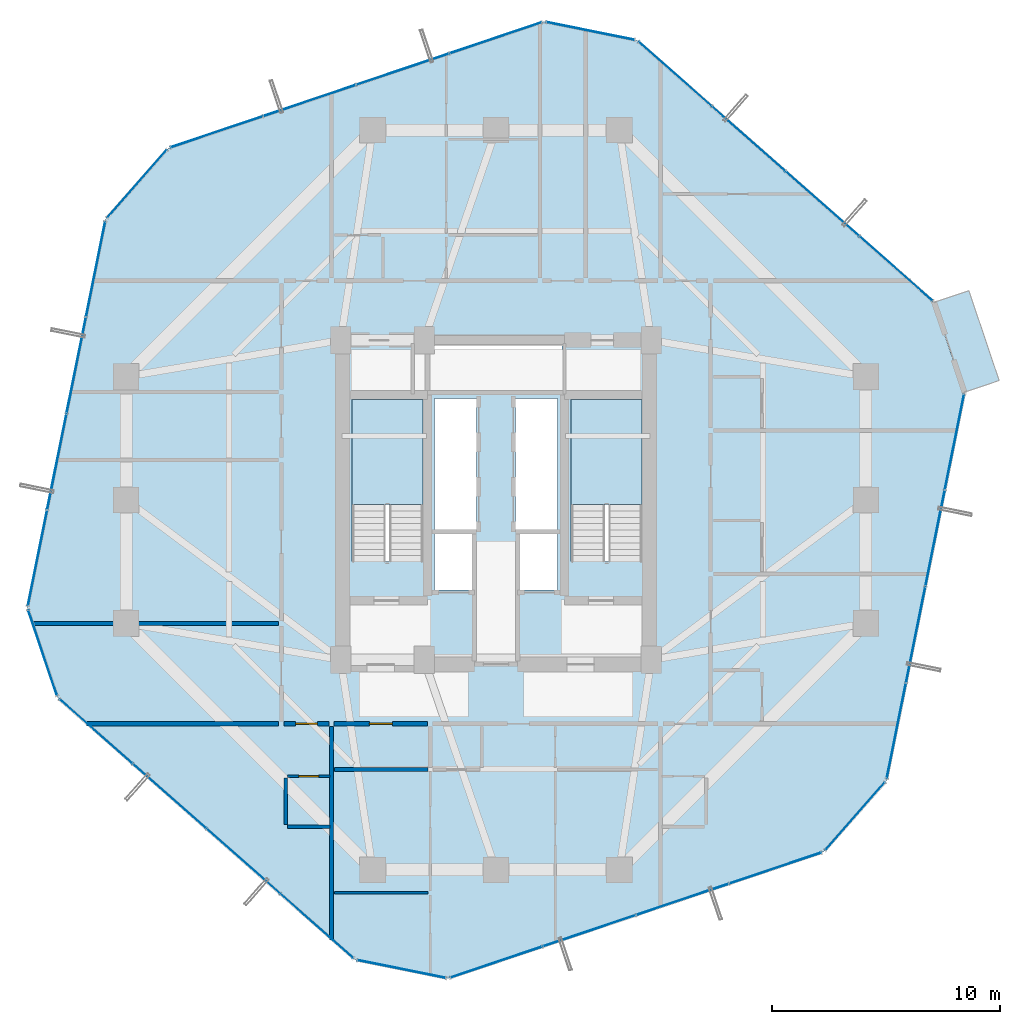
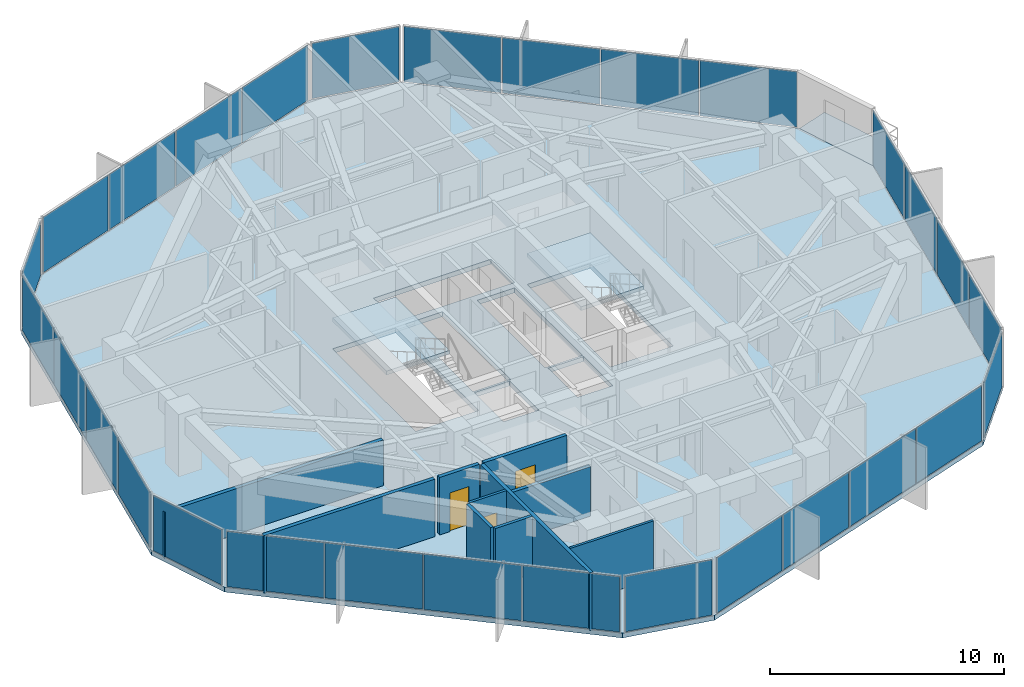
# One storey, part 27 of 32: 29 plates, 10 walls, 4 slabs, 3 doors, 3 openings, 13 elements without a shape of their own.
"""IFC4 building model written with IfcOpenShell, lengths in metres."""

import ifcopenshell
import ifcopenshell.guid

model = None  # the IFC model being written
_history = None  # IfcOwnerHistory: only IFC2X3 demands one
_inside = {}  # id of a spatial element -> (the spatial element, [elements in it])
_under = {}  # id of a project, library or spatial element -> (it, [spatial elements below it])
_declared = {}  # id of a project -> (the project, [libraries it declares])
_typed = {}  # id of a type object -> (the type object, [elements of that type])
_made_of = {}  # id of a material, layer set ... -> (it, [elements and type objects made of it])


def new_model(schema):
    """Start an empty IFC model of exactly this schema.

    Asked for "IFC4X3", IfcOpenShell would pick the latest addendum, in which some entities
    have other attributes; the version numbers below select the first issue.
    IFC2X3 requires an IfcOwnerHistory on every rooted entity: one is made here for all.
    """
    global model, _history
    if schema == "IFC4X3":
        model = ifcopenshell.file(schema_version=(4, 3, 0, 0))
    else:
        model = ifcopenshell.file(schema=schema)
    _inside.clear()
    _under.clear()
    _declared.clear()
    _typed.clear()
    _made_of.clear()
    _history = None
    if model.schema == "IFC2X3":
        org = make("IfcOrganization", Name="unknown")
        user = make(
            "IfcPersonAndOrganization",
            ThePerson=make("IfcPerson", FamilyName="unknown"),
            TheOrganization=org,
        )
        app = make(
            "IfcApplication",
            ApplicationDeveloper=org,
            Version="unknown",
            ApplicationFullName="unknown",
            ApplicationIdentifier="unknown",
        )
        _history = make(
            "IfcOwnerHistory",
            OwningUser=user,
            OwningApplication=app,
            ChangeAction="ADDED",
            CreationDate=0,
        )
    return model


def make(cls, **values):
    """One entity of the class cls with the attributes given. An attribute that is None is left unset."""
    return model.create_entity(
        cls, **{name: value for name, value in values.items() if value is not None}
    )


def rooted(cls, **values):
    """An entity with a GlobalId (a new one), such as an element, a storey or a relation."""
    return make(cls, GlobalId=ifcopenshell.guid.new(), OwnerHistory=_history, **values)


def si_unit(unit_type, name, prefix=None):
    """IfcSIUnit, for example si_unit("LENGTHUNIT", "METRE", prefix="MILLI")."""
    return make("IfcSIUnit", UnitType=unit_type, Prefix=prefix, Name=name)


def assignment(units):
    """IfcUnitAssignment: the units of a project."""
    return None if units is None else make("IfcUnitAssignment", Units=units)


def point(xyz):
    """IfcCartesianPoint."""
    return None if xyz is None else make("IfcCartesianPoint", Coordinates=xyz)


def direction(xyz):
    """IfcDirection."""
    return None if xyz is None else make("IfcDirection", DirectionRatios=xyz)


def frame(location, z_axis=None, x_axis=None):
    """IfcAxis2Placement3D, a coordinate frame: its origin and axes. An axis left out is left unset."""
    return make(
        "IfcAxis2Placement3D",
        Location=point(location),
        Axis=direction(z_axis),
        RefDirection=direction(x_axis),
    )


def frame_2d(location, x_axis=None):
    """IfcAxis2Placement2D, a coordinate frame in the plane: its origin and x axis."""
    return make(
        "IfcAxis2Placement2D", Location=point(location), RefDirection=direction(x_axis)
    )


def origin():
    """The frame at (0, 0, 0) with its axes left unset."""
    return frame((0.0, 0.0, 0.0))


def origin_2d():
    """The frame at (0, 0) in the plane with its x axis left unset."""
    return frame_2d((0.0, 0.0))


def place(relative_to, where):
    """IfcLocalPlacement: puts the frame where relative to a parent placement (None: the world)."""
    return make(
        "IfcLocalPlacement", PlacementRelTo=relative_to, RelativePlacement=where
    )


def context(
    kind, dimensions, precision=None, world=None, true_north=None, identifier=None
):
    """IfcGeometricRepresentationContext, for example the 3D "Model" context."""
    return make(
        "IfcGeometricRepresentationContext",
        ContextIdentifier=identifier,
        ContextType=kind,
        CoordinateSpaceDimension=dimensions,
        Precision=precision,
        WorldCoordinateSystem=world,
        TrueNorth=true_north,
    )


def subcontext(parent, identifier, kind, view, scale=None):
    """IfcGeometricRepresentationSubContext, for example "Body" below "Model"."""
    return make(
        "IfcGeometricRepresentationSubContext",
        ContextIdentifier=identifier,
        ContextType=kind,
        ParentContext=parent,
        TargetScale=scale,
        TargetView=view,
    )


def project(units=None, contexts=None):
    """IfcProject with its units and contexts."""
    return rooted(
        "IfcProject",
        Name="project",
        RepresentationContexts=contexts,
        UnitsInContext=assignment(units),
    )


def spatial(cls, under=None, at=None, **own):
    """A site, building, storey or space (cls), placed at a placement, below another one or the project."""
    s = rooted(cls, ObjectPlacement=at, **own)
    if under is not None:
        _under.setdefault(under.id(), (under, []))[1].append(s)
    return s


def polyline(points):
    """IfcPolyline through the points."""
    return make("IfcPolyline", Points=[point(p) for p in points])


def profile(cls, at=None, kind="AREA", **sizes):
    """A parametric profile (cls). Its sizes go by their IFC names, for example OverallWidth=200.0."""
    return make(cls, ProfileType=kind, Position=at, **sizes)


def rectangle(**sizes):
    """IfcRectangleProfileDef."""
    return profile("IfcRectangleProfileDef", **sizes)


def outline(outer, holes=None, kind="AREA"):
    """IfcArbitraryClosedProfileDef: a profile drawn as a closed curve; with holes, ...WithVoids."""
    if holes is None:
        return make("IfcArbitraryClosedProfileDef", ProfileType=kind, OuterCurve=outer)
    return make(
        "IfcArbitraryProfileDefWithVoids",
        ProfileType=kind,
        OuterCurve=outer,
        InnerCurves=holes,
    )


def extrude(swept, where, along, depth):
    """IfcExtrudedAreaSolid: the profile swept, set in the frame where, extruded along a direction by depth."""
    return make(
        "IfcExtrudedAreaSolid",
        SweptArea=swept,
        Position=where,
        ExtrudedDirection=direction(along),
        Depth=depth,
    )


def shape(context_of_items, identifier, shape_type, items):
    """IfcShapeRepresentation: the items that make up one representation, for example the "Body"."""
    return make(
        "IfcShapeRepresentation",
        ContextOfItems=context_of_items,
        RepresentationIdentifier=identifier,
        RepresentationType=shape_type,
        Items=items,
    )


def source(mapping_origin, context_of_items, identifier, shape_type, items):
    """IfcRepresentationMap: a shape defined once, which mapped items show again and again."""
    return make(
        "IfcRepresentationMap",
        MappingOrigin=mapping_origin,
        MappedRepresentation=shape(context_of_items, identifier, shape_type, items),
    )


def transform(
    local_origin,
    x_axis=None,
    y_axis=None,
    z_axis=None,
    scale=None,
    scale2=None,
    scale3=None,
    uniform=True,
):
    """IfcCartesianTransformationOperator3D, or its non-uniform kind. x_axis, y_axis, z_axis: its Axis1, 2, 3."""
    if uniform:
        return make(
            "IfcCartesianTransformationOperator3D",
            Axis1=direction(x_axis),
            Axis2=direction(y_axis),
            LocalOrigin=point(local_origin),
            Scale=scale,
            Axis3=direction(z_axis),
        )
    return make(
        "IfcCartesianTransformationOperator3DnonUniform",
        Axis1=direction(x_axis),
        Axis2=direction(y_axis),
        LocalOrigin=point(local_origin),
        Scale=scale,
        Axis3=direction(z_axis),
        Scale2=scale2,
        Scale3=scale3,
    )


def mapped(mapping_source, mapping_target):
    """IfcMappedItem: shows the shape of a source again, moved by a transform."""
    return make(
        "IfcMappedItem", MappingSource=mapping_source, MappingTarget=mapping_target
    )


def material(Name=None, Category=None):
    """IfcMaterial."""
    return make("IfcMaterial", Name=Name, Category=Category)


def layer(
    of_material, thickness, ventilated=None, Name=None, Category=None, Priority=None
):
    """IfcMaterialLayer: one layer of a wall or slab, of a material (None: an air gap)."""
    return make(
        "IfcMaterialLayer",
        Material=of_material,
        LayerThickness=thickness,
        IsVentilated=ventilated,
        Name=Name,
        Category=Category,
        Priority=Priority,
    )


def layer_set(layers, Name=None):
    """IfcMaterialLayerSet."""
    return make("IfcMaterialLayerSet", MaterialLayers=layers, LayerSetName=Name)


def made_of(thing, what):
    """Note that an element or type object is made of a material, layer set ...; save() writes the relation."""
    if what is not None:
        _made_of.setdefault(what.id(), (what, []))[1].append(thing)
    return thing


def type_object(cls, material=None, **own):
    """A type object (cls), such as IfcWallType, which elements share."""
    return made_of(rooted(cls, **own), material)


def element(
    cls,
    number,
    at=None,
    inside=None,
    cuts=None,
    type_object=None,
    material=None,
    context=None,
    identifier="Body",
    shape_type=None,
    held_by="IfcProductDefinitionShape",
    body=None,
    shapes=None,
    **own,
):
    """One element of the class cls, such as IfcWall. Its Tag is "e" and its number.

    at: its placement. inside: the storey or other place that contains it. cuts: it is an
    opening in that element (IfcRelVoidsElement). A single representation is given by context,
    identifier, shape_type and body (its items); several are given by shapes. held_by: the class
    of the entity that holds the representations. save() writes the other relations.
    """
    e = rooted(cls, Tag="e%d" % number, ObjectPlacement=at, **own)
    if body is not None:
        shapes = [shape(context, identifier, shape_type, body)]
    if shapes is not None:
        e.Representation = make(held_by, Representations=shapes)
    if inside is not None:
        _inside.setdefault(inside.id(), (inside, []))[1].append(e)
    if cuts is not None:
        rooted(
            "IfcRelVoidsElement", RelatingBuildingElement=cuts, RelatedOpeningElement=e
        )
    if type_object is not None:
        _typed.setdefault(type_object.id(), (type_object, []))[1].append(e)
    return made_of(e, material)


def fill(opening, filler):
    """IfcRelFillsElement: the door or window that sits in an opening."""
    return rooted(
        "IfcRelFillsElement",
        RelatingOpeningElement=opening,
        RelatedBuildingElement=filler,
    )


def aggregate(whole, parts):
    """IfcRelAggregates: a whole, such as a stair, and the parts it consists of."""
    return rooted("IfcRelAggregates", RelatingObject=whole, RelatedObjects=parts)


def save(model, path):
    """Write the relations noted so far, then the file.

    IfcRelAggregates (storeys below a building ...), IfcRelContainedInSpatialStructure (elements
    in a storey), IfcRelDefinesByType, IfcRelAssociatesMaterial and IfcRelDeclares: one each for
    every whole, place, type object, material and project.
    """
    for whole, parts in _under.values():
        aggregate(whole, parts)
    for where, things in _inside.values():
        rooted(
            "IfcRelContainedInSpatialStructure",
            RelatedElements=things,
            RelatingStructure=where,
        )
    for kind, things in _typed.values():
        rooted("IfcRelDefinesByType", RelatedObjects=things, RelatingType=kind)
    for what, things in _made_of.values():
        rooted("IfcRelAssociatesMaterial", RelatedObjects=things, RelatingMaterial=what)
    for by, libraries in _declared.values():
        rooted("IfcRelDeclares", RelatingContext=by, RelatedDefinitions=libraries)
    model.write(path)


model = new_model("IFC4")

# Units and contexts
model_context = context("Model", 3, precision=1e-05, world=origin(), true_north=direction((0.0, 1.0)))
body_context = subcontext(model_context, "Body", "Model", "MODEL_VIEW")
ifc_project = project(units=[si_unit("LENGTHUNIT", "METRE"), si_unit("AREAUNIT", "SQUARE_METRE"), si_unit("VOLUMEUNIT", "CUBIC_METRE"), si_unit("PLANEANGLEUNIT", "RADIAN"), si_unit("MASSUNIT", "GRAM", prefix="KILO")], contexts=[model_context])

# Site, building, storey
site_placement = place(None, origin())
site = spatial("IfcSite", under=ifc_project, at=site_placement, CompositionType="ELEMENT")
building_placement = place(site_placement, origin())
building = spatial("IfcBuilding", under=site, at=building_placement, Name="Veraguas Prism Commons", CompositionType="ELEMENT")
storey_placement = place(building_placement, frame((0.0, 0.0, 89.449951171875)))
storey = spatial("IfcBuildingStorey", under=building, at=storey_placement, Name="L24", CompositionType="ELEMENT", Elevation=89.449951171875)

# Stair, slab
ifc_material_1 = material(Name="Precast concrete C45/55", Category="concrete")
stair_type = type_object("IfcStairType", Name="Dogleg Core Stair 1480W 20R 05", PredefinedType="HALF_TURN_STAIR", material=ifc_material_1)
stair_1_placement = place(storey_placement, origin())
stair_1 = element("IfcStair", 1, at=stair_1_placement, inside=storey, type_object=stair_type, Name="Protected Exit Stair ST-01 L24", PredefinedType="HALF_TURN_STAIR")
ifc_layer_1 = layer(ifc_material_1, 0.199951171875, Name="Precast Stair and Ramp Landing Slab 200", Category="concrete")
ifc_layer_set_1 = layer_set([ifc_layer_1], Name="Precast concrete C45/55")
slab_type_1 = type_object("IfcSlabType", Name="Precast Stair and Ramp Landing Slab 200", PredefinedType="LANDING", material=ifc_layer_set_1)
slab_1_placement = place(storey_placement, frame((0.0, 0.0, 1.425048828125)))
slab_1 = element("IfcSlab", 2, at=slab_1_placement, type_object=slab_type_1, Name="ST-05 Landing 1", PredefinedType="LANDING", context=body_context, shape_type="SweptSolid", body=[
    extrude(outline(polyline([(20.800048828125, 23.800048828125), (20.800048828125, 28.39990234375), (17.68994140625, 28.39990234375), (17.68994140625, 23.800048828125), (20.800048828125, 23.800048828125)])), origin(), (0.0, 0.0, 1.0), 0.199951171875),
])
aggregate(stair_1, [slab_1])

stair_2_placement = place(storey_placement, origin())
stair_2 = element("IfcStair", 3, at=stair_2_placement, inside=storey, type_object=stair_type, Name="Protected Exit Stair ST-02 L24", PredefinedType="HALF_TURN_STAIR")
slab_2_placement = place(storey_placement, frame((0.0, 0.0, 1.425048828125)))
slab_2 = element("IfcSlab", 4, at=slab_2_placement, type_object=slab_type_1, Name="ST-05 Landing 1", PredefinedType="LANDING", context=body_context, shape_type="SweptSolid", body=[
    extrude(outline(polyline([(30.39990234375, 23.800048828125), (30.39990234375, 28.39990234375), (27.2900390625, 28.39990234375), (27.2900390625, 23.800048828125), (30.39990234375, 23.800048828125)])), origin(), (0.0, 0.0, 1.0), 0.199951171875),
])
aggregate(stair_2, [slab_2])

# Slabs
ifc_material_2 = material(Name="Concrete C45/55", Category="concrete")
ifc_layer_2 = layer(ifc_material_2, 0.219970703125, Name="Recessed Loggia and Terrace Slab RC 220", Category="concrete")
ifc_layer_set_2 = layer_set([ifc_layer_2], Name="Concrete C45/55")
slab_type_2 = type_object("IfcSlabType", Name="Recessed Loggia and Terrace Slab RC 220", PredefinedType="FLOOR", material=ifc_layer_set_2)
slab_3_placement = place(storey_placement, frame((0.0, 0.0, -0.219970703125)))
element("IfcSlab", 5, at=slab_3_placement, inside=storey, type_object=slab_type_2, Name="Recessed Corner Loggia L24-C1", PredefinedType="FLOOR", context=body_context, shape_type="SweptSolid", body=[
    extrude(outline(polyline([(44.49853515625, 28.715087890625), (46.03369140625, 29.232421875), (44.70751953125, 33.168212890625), (43.17236328125, 32.65087890625), (44.49853515625, 28.715087890625)])), origin(), (0.0, 0.0, 1.0), 0.219970703125),
])
ifc_layer_3 = layer(ifc_material_2, 0.25, Name="Tower Lower Residential Floor Slab RC 250", Category="concrete")
ifc_layer_set_3 = layer_set([ifc_layer_3], Name="Concrete C45/55")
slab_type_3 = type_object("IfcSlabType", Name="Tower Lower Residential Floor Slab RC 250", PredefinedType="FLOOR", material=ifc_layer_set_3)
slab_4_placement = place(storey_placement, frame((0.0, 0.0, -0.25)))
element("IfcSlab", 6, at=slab_4_placement, inside=storey, type_object=slab_type_3, Name="Tower Floor Slab L24", PredefinedType="FLOOR", context=body_context, shape_type="SweptSolid", body=[
    extrude(outline(polyline([(44.517578125, 28.7216796875), (43.19140625, 32.6572265625), (30.169677734375, 44.12939453125), (26.09814453125, 44.948974609375), (9.652099609375, 39.407958984375), (6.90673828125, 36.29150390625), (3.482421875, 19.2783203125), (4.80859375, 15.3427734375), (17.830322265625, 3.87060546875), (21.90185546875, 3.051025390625), (38.347900390625, 8.592041015625), (41.09326171875, 11.70849609375), (44.517578125, 28.7216796875)]), holes=[polyline([(20.800048828125, 21.31005859375), (20.800048828125, 28.39990234375), (17.68994140625, 28.39990234375), (17.68994140625, 21.31005859375), (20.800048828125, 21.31005859375)]), polyline([(30.39990234375, 21.31005859375), (30.39990234375, 28.39990234375), (27.2900390625, 28.39990234375), (27.2900390625, 21.31005859375), (30.39990234375, 21.31005859375)]), polyline([(21.300048828125, 22.64990234375), (23.14990234375, 22.64990234375), (23.14990234375, 28.449951171875), (21.300048828125, 28.449951171875), (21.300048828125, 22.64990234375)]), polyline([(24.85009765625, 22.64990234375), (26.699951171875, 22.64990234375), (26.699951171875, 28.449951171875), (24.85009765625, 28.449951171875), (24.85009765625, 22.64990234375)]), polyline([(21.10009765625, 28.800048828125), (26.89990234375, 28.800048828125), (26.89990234375, 30.800048828125), (21.10009765625, 30.800048828125), (21.10009765625, 28.800048828125)]), polyline([(21.300048828125, 20.050048828125), (23.050048828125, 20.050048828125), (23.050048828125, 22.550048828125), (21.300048828125, 22.550048828125), (21.300048828125, 20.050048828125)]), polyline([(24.949951171875, 20.050048828125), (26.699951171875, 20.050048828125), (26.699951171875, 22.550048828125), (24.949951171875, 22.550048828125), (24.949951171875, 20.050048828125)])]), origin(), (0.0, 0.0, 1.0), 0.25),
])

# Curtain wall, plates
ifc_material_3 = material(Name="Anodised aluminium EN AW-6063 T6", Category="aluminium")
ifc_layer_4 = layer(ifc_material_3, 0.169921875, Name="Unitised Flush Curtain Wall Zone 2", Category="aluminium")
ifc_layer_set_4 = layer_set([ifc_layer_4], Name="Anodised aluminium EN AW-6063 T6")
curtain_wall_type = type_object("IfcCurtainWallType", Name="Unitised Flush Curtain Wall Zone 2", PredefinedType="NOTDEFINED", material=ifc_layer_set_4)
curtain_wall_1_placement = place(storey_placement, origin())
curtain_wall_1 = element("IfcCurtainWall", 7, at=curtain_wall_1_placement, inside=storey, type_object=curtain_wall_type, Name="Tower Facade Curtain Wall L24-F1", PredefinedType="NOTDEFINED")
ifc_material_4 = material(Name="Laminated low-e glass", Category="glass")
ifc_layer_5 = layer(ifc_material_4, 0.028076171875, Name="Unitised Double Low-E Glazed Panel 28", Category="glass")
ifc_layer_set_5 = layer_set([ifc_layer_5], Name="Laminated low-e glass")
plate_type = type_object("IfcPlateType", Name="Unitised Double Low-E Glazed Panel 28", PredefinedType="CURTAIN_PANEL", material=ifc_layer_set_5)
shared_shape_1 = source(origin(), body_context, "Body", "SweptSolid", [
    extrude(rectangle(XDim=4.218505859375, YDim=0.028076171875, at=origin_2d()), origin(), (0.0, 0.0, 1.0), 2.889892578125),
])
plate_1_placement = place(storey_placement, frame((41.518798828125, 34.131103515625, 0.05517578125), z_axis=(0.0, 0.0, 1.0), x_axis=(-0.750341865315, 0.661049986881, 0.0)))
plate_1 = element("IfcPlate", 8, at=plate_1_placement, type_object=plate_type, Name="CW-Z2 Panel 1.1", PredefinedType="CURTAIN_PANEL", context=body_context, shape_type="MappedRepresentation", body=[
    mapped(shared_shape_1, transform((0.0, 0.0, 0.0), scale=1.0)),
])
plate_2_placement = place(storey_placement, frame((31.842529296875, 42.65576171875, 0.05517578125), z_axis=(0.0, 0.0, 1.0), x_axis=(-0.750341865315, 0.661049986881, 0.0)))
plate_2 = element("IfcPlate", 9, at=plate_2_placement, type_object=plate_type, Name="CW-Z2 Panel 4.1", PredefinedType="CURTAIN_PANEL", context=body_context, shape_type="MappedRepresentation", body=[
    mapped(shared_shape_1, transform((0.0, 0.0, 0.0), scale=1.0)),
])

curtain_wall_2_placement = place(storey_placement, origin())
curtain_wall_2 = element("IfcCurtainWall", 10, at=curtain_wall_2_placement, inside=storey, type_object=curtain_wall_type, Name="Tower Facade Curtain Wall L24-F2", PredefinedType="NOTDEFINED")
plate_3_placement = place(storey_placement, frame((23.985595703125, 44.237060546875, 0.05517578125), z_axis=(0.0, 0.0, 1.0), x_axis=(-0.94765924351, -0.319283507543, 0.0)))
plate_3 = element("IfcPlate", 11, at=plate_3_placement, type_object=plate_type, Name="CW-Z2 Panel 1.1", PredefinedType="CURTAIN_PANEL", context=body_context, shape_type="MappedRepresentation", body=[
    mapped(shared_shape_1, transform((0.0, 0.0, 0.0), scale=1.0)),
])
plate_4_placement = place(storey_placement, frame((11.764892578125, 40.11962890625, 0.05517578125), z_axis=(0.0, 0.0, 1.0), x_axis=(-0.94765924351, -0.319283507543, 0.0)))
plate_4 = element("IfcPlate", 12, at=plate_4_placement, type_object=plate_type, Name="CW-Z2 Panel 4.1", PredefinedType="CURTAIN_PANEL", context=body_context, shape_type="MappedRepresentation", body=[
    mapped(shared_shape_1, transform((0.0, 0.0, 0.0), scale=1.0)),
])

curtain_wall_3_placement = place(storey_placement, origin())
curtain_wall_3 = element("IfcCurtainWall", 13, at=curtain_wall_3_placement, inside=storey, type_object=curtain_wall_type, Name="Tower Facade Curtain Wall L24-F3", PredefinedType="NOTDEFINED")
plate_5_placement = place(storey_placement, frame((6.467041015625, 34.106201171875, 0.05517578125), z_axis=(0.0, 0.0, 1.0), x_axis=(-0.197320282199, -0.980339077173, 0.0)))
plate_5 = element("IfcPlate", 14, at=plate_5_placement, type_object=plate_type, Name="CW-Z2 Panel 1.1", PredefinedType="CURTAIN_PANEL", context=body_context, shape_type="MappedRepresentation", body=[
    mapped(shared_shape_1, transform((0.0, 0.0, 0.0), scale=1.0)),
])
plate_6_placement = place(storey_placement, frame((3.92236328125, 21.4638671875, 0.05517578125), z_axis=(0.0, 0.0, 1.0), x_axis=(-0.197320282199, -0.980339077173, 0.0)))
plate_6 = element("IfcPlate", 15, at=plate_6_placement, type_object=plate_type, Name="CW-Z2 Panel 4.1", PredefinedType="CURTAIN_PANEL", context=body_context, shape_type="MappedRepresentation", body=[
    mapped(shared_shape_1, transform((0.0, 0.0, 0.0), scale=1.0)),
])

curtain_wall_4_placement = place(storey_placement, origin())
curtain_wall_4 = element("IfcCurtainWall", 16, at=curtain_wall_4_placement, inside=storey, type_object=curtain_wall_type, Name="Tower Facade Curtain Wall L24-F4", PredefinedType="NOTDEFINED")
plate_7_placement = place(storey_placement, frame((6.481201171875, 13.868896484375, 0.05517578125), z_axis=(0.0, 0.0, 1.0), x_axis=(0.750341865315, -0.661049986881, 0.0)))
plate_7 = element("IfcPlate", 17, at=plate_7_placement, type_object=plate_type, Name="CW-Z2 Panel 1.1", PredefinedType="CURTAIN_PANEL", context=body_context, shape_type="MappedRepresentation", body=[
    mapped(shared_shape_1, transform((0.0, 0.0, 0.0), scale=1.0)),
])
plate_8_placement = place(storey_placement, frame((16.157470703125, 5.34423828125, 0.05517578125), z_axis=(0.0, 0.0, 1.0), x_axis=(0.750341865315, -0.661049986881, 0.0)))
plate_8 = element("IfcPlate", 18, at=plate_8_placement, type_object=plate_type, Name="CW-Z2 Panel 4.1", PredefinedType="CURTAIN_PANEL", context=body_context, shape_type="MappedRepresentation", body=[
    mapped(shared_shape_1, transform((0.0, 0.0, 0.0), scale=1.0)),
])

curtain_wall_5_placement = place(storey_placement, origin())
curtain_wall_5 = element("IfcCurtainWall", 19, at=curtain_wall_5_placement, inside=storey, type_object=curtain_wall_type, Name="Tower Facade Curtain Wall L24-F5", PredefinedType="NOTDEFINED")
plate_9_placement = place(storey_placement, frame((24.014404296875, 3.762939453125, 0.05517578125), z_axis=(0.0, 0.0, 1.0), x_axis=(0.94765924351, 0.319283507543, 0.0)))
plate_9 = element("IfcPlate", 20, at=plate_9_placement, type_object=plate_type, Name="CW-Z2 Panel 1.1", PredefinedType="CURTAIN_PANEL", context=body_context, shape_type="MappedRepresentation", body=[
    mapped(shared_shape_1, transform((0.0, 0.0, 0.0), scale=1.0)),
])
plate_10_placement = place(storey_placement, frame((36.235107421875, 7.88037109375, 0.05517578125), z_axis=(0.0, 0.0, 1.0), x_axis=(0.94765924351, 0.319283507543, 0.0)))
plate_10 = element("IfcPlate", 21, at=plate_10_placement, type_object=plate_type, Name="CW-Z2 Panel 4.1", PredefinedType="CURTAIN_PANEL", context=body_context, shape_type="MappedRepresentation", body=[
    mapped(shared_shape_1, transform((0.0, 0.0, 0.0), scale=1.0)),
])

curtain_wall_6_placement = place(storey_placement, origin())
curtain_wall_6 = element("IfcCurtainWall", 22, at=curtain_wall_6_placement, inside=storey, type_object=curtain_wall_type, Name="Tower Facade Curtain Wall L24-F6", PredefinedType="NOTDEFINED")
plate_11_placement = place(storey_placement, frame((41.532958984375, 13.893798828125, 0.05517578125), z_axis=(0.0, 0.0, 1.0), x_axis=(0.197320282199, 0.980339077173, 0.0)))
plate_11 = element("IfcPlate", 23, at=plate_11_placement, type_object=plate_type, Name="CW-Z2 Panel 1.1", PredefinedType="CURTAIN_PANEL", context=body_context, shape_type="MappedRepresentation", body=[
    mapped(shared_shape_1, transform((0.0, 0.0, 0.0), scale=1.0)),
])
plate_12_placement = place(storey_placement, frame((44.07763671875, 26.5361328125, 0.05517578125), z_axis=(0.0, 0.0, 1.0), x_axis=(0.197320282199, 0.980339077173, 0.0)))
plate_12 = element("IfcPlate", 24, at=plate_12_placement, type_object=plate_type, Name="CW-Z2 Panel 4.1", PredefinedType="CURTAIN_PANEL", context=body_context, shape_type="MappedRepresentation", body=[
    mapped(shared_shape_1, transform((0.0, 0.0, 0.0), scale=1.0)),
])

# Plate
shared_shape_2 = source(origin(), body_context, "Body", "SweptSolid", [
    extrude(rectangle(XDim=4.24853515625, YDim=0.028076171875, at=origin_2d()), origin(), (0.0, 0.0, 1.0), 2.889892578125),
])
plate_13_placement = place(storey_placement, frame((38.297119140625, 36.96923828125, 0.05517578125), z_axis=(0.0, 0.0, 1.0), x_axis=(-0.750341865315, 0.661049986881, 0.0)))
plate_13 = element("IfcPlate", 25, at=plate_13_placement, type_object=plate_type, Name="CW-Z2 Panel 2.1", PredefinedType="CURTAIN_PANEL", context=body_context, shape_type="MappedRepresentation", body=[
    mapped(shared_shape_2, transform((0.0, 0.0, 0.0), scale=1.0)),
])

plate_14_placement = place(storey_placement, frame((35.064208984375, 39.8173828125, 0.05517578125), z_axis=(0.0, 0.0, 1.0), x_axis=(-0.750341865315, 0.661049986881, 0.0)))
plate_14 = element("IfcPlate", 26, at=plate_14_placement, type_object=plate_type, Name="CW-Z2 Panel 3.1", PredefinedType="CURTAIN_PANEL", context=body_context, shape_type="MappedRepresentation", body=[
    mapped(shared_shape_2, transform((0.0, 0.0, 0.0), scale=1.0)),
])

aggregate(curtain_wall_1, [plate_1, plate_13, plate_14, plate_2])

plate_15_placement = place(storey_placement, frame((19.916748046875, 42.8662109375, 0.05517578125), z_axis=(0.0, 0.0, 1.0), x_axis=(-0.94765924351, -0.319283507543, 0.0)))
plate_15 = element("IfcPlate", 27, at=plate_15_placement, type_object=plate_type, Name="CW-Z2 Panel 2.1", PredefinedType="CURTAIN_PANEL", context=body_context, shape_type="MappedRepresentation", body=[
    mapped(shared_shape_2, transform((0.0, 0.0, 0.0), scale=1.0)),
])

plate_16_placement = place(storey_placement, frame((15.833740234375, 41.490478515625, 0.05517578125), z_axis=(0.0, 0.0, 1.0), x_axis=(-0.94765924351, -0.319283507543, 0.0)))
plate_16 = element("IfcPlate", 28, at=plate_16_placement, type_object=plate_type, Name="CW-Z2 Panel 3.1", PredefinedType="CURTAIN_PANEL", context=body_context, shape_type="MappedRepresentation", body=[
    mapped(shared_shape_2, transform((0.0, 0.0, 0.0), scale=1.0)),
])

aggregate(curtain_wall_2, [plate_3, plate_15, plate_16, plate_4])

plate_17_placement = place(storey_placement, frame((5.61962890625, 29.89697265625, 0.05517578125), z_axis=(0.0, 0.0, 1.0), x_axis=(-0.197320282199, -0.980339077173, 0.0)))
plate_17 = element("IfcPlate", 29, at=plate_17_placement, type_object=plate_type, Name="CW-Z2 Panel 2.1", PredefinedType="CURTAIN_PANEL", context=body_context, shape_type="MappedRepresentation", body=[
    mapped(shared_shape_2, transform((0.0, 0.0, 0.0), scale=1.0)),
])

plate_18_placement = place(storey_placement, frame((4.76953125, 25.673095703125, 0.05517578125), z_axis=(0.0, 0.0, 1.0), x_axis=(-0.197320282199, -0.980339077173, 0.0)))
plate_18 = element("IfcPlate", 30, at=plate_18_placement, type_object=plate_type, Name="CW-Z2 Panel 3.1", PredefinedType="CURTAIN_PANEL", context=body_context, shape_type="MappedRepresentation", body=[
    mapped(shared_shape_2, transform((0.0, 0.0, 0.0), scale=1.0)),
])

aggregate(curtain_wall_3, [plate_5, plate_17, plate_18, plate_6])

plate_19_placement = place(storey_placement, frame((9.702880859375, 11.03076171875, 0.05517578125), z_axis=(0.0, 0.0, 1.0), x_axis=(0.750341865315, -0.661049986881, 0.0)))
plate_19 = element("IfcPlate", 31, at=plate_19_placement, type_object=plate_type, Name="CW-Z2 Panel 2.1", PredefinedType="CURTAIN_PANEL", context=body_context, shape_type="MappedRepresentation", body=[
    mapped(shared_shape_2, transform((0.0, 0.0, 0.0), scale=1.0)),
])

plate_20_placement = place(storey_placement, frame((12.935791015625, 8.1826171875, 0.05517578125), z_axis=(0.0, 0.0, 1.0), x_axis=(0.750341865315, -0.661049986881, 0.0)))
plate_20 = element("IfcPlate", 32, at=plate_20_placement, type_object=plate_type, Name="CW-Z2 Panel 3.1", PredefinedType="CURTAIN_PANEL", context=body_context, shape_type="MappedRepresentation", body=[
    mapped(shared_shape_2, transform((0.0, 0.0, 0.0), scale=1.0)),
])

aggregate(curtain_wall_4, [plate_7, plate_19, plate_20, plate_8])

plate_21_placement = place(storey_placement, frame((28.083251953125, 5.1337890625, 0.05517578125), z_axis=(0.0, 0.0, 1.0), x_axis=(0.94765924351, 0.319283507543, 0.0)))
plate_21 = element("IfcPlate", 33, at=plate_21_placement, type_object=plate_type, Name="CW-Z2 Panel 2.1", PredefinedType="CURTAIN_PANEL", context=body_context, shape_type="MappedRepresentation", body=[
    mapped(shared_shape_2, transform((0.0, 0.0, 0.0), scale=1.0)),
])

plate_22_placement = place(storey_placement, frame((32.166259765625, 6.509521484375, 0.05517578125), z_axis=(0.0, 0.0, 1.0), x_axis=(0.94765924351, 0.319283507543, 0.0)))
plate_22 = element("IfcPlate", 34, at=plate_22_placement, type_object=plate_type, Name="CW-Z2 Panel 3.1", PredefinedType="CURTAIN_PANEL", context=body_context, shape_type="MappedRepresentation", body=[
    mapped(shared_shape_2, transform((0.0, 0.0, 0.0), scale=1.0)),
])

aggregate(curtain_wall_5, [plate_9, plate_21, plate_22, plate_10])

plate_23_placement = place(storey_placement, frame((42.38037109375, 18.10302734375, 0.05517578125), z_axis=(0.0, 0.0, 1.0), x_axis=(0.197320282199, 0.980339077173, 0.0)))
plate_23 = element("IfcPlate", 35, at=plate_23_placement, type_object=plate_type, Name="CW-Z2 Panel 2.1", PredefinedType="CURTAIN_PANEL", context=body_context, shape_type="MappedRepresentation", body=[
    mapped(shared_shape_2, transform((0.0, 0.0, 0.0), scale=1.0)),
])

plate_24_placement = place(storey_placement, frame((43.23046875, 22.326904296875, 0.05517578125), z_axis=(0.0, 0.0, 1.0), x_axis=(0.197320282199, 0.980339077173, 0.0)))
plate_24 = element("IfcPlate", 36, at=plate_24_placement, type_object=plate_type, Name="CW-Z2 Panel 3.1", PredefinedType="CURTAIN_PANEL", context=body_context, shape_type="MappedRepresentation", body=[
    mapped(shared_shape_2, transform((0.0, 0.0, 0.0), scale=1.0)),
])

aggregate(curtain_wall_6, [plate_11, plate_23, plate_24, plate_12])

# Curtain wall, plate
curtain_wall_7_placement = place(storey_placement, origin())
curtain_wall_7 = element("IfcCurtainWall", 37, at=curtain_wall_7_placement, inside=storey, type_object=curtain_wall_type, Name="Chamfer Curtain Wall L24-C2", PredefinedType="NOTDEFINED")
shared_shape_3 = source(origin(), body_context, "Body", "SweptSolid", [
    extrude(rectangle(XDim=3.9130859375, YDim=0.028076171875, at=origin_2d()), origin(), (0.0, 0.0, 1.0), 2.889892578125),
])
plate_25_placement = place(storey_placement, frame((28.134033203125, 44.539306640625, 0.05517578125), z_axis=(0.0, 0.0, 1.0), x_axis=(-0.980340454705, 0.197313438136, 0.0)))
plate_25 = element("IfcPlate", 38, at=plate_25_placement, type_object=plate_type, Name="CW-Z2 Panel 1.1", PredefinedType="CURTAIN_PANEL", context=body_context, shape_type="MappedRepresentation", body=[
    mapped(shared_shape_3, transform((0.0, 0.0, 0.0), scale=1.0)),
])
aggregate(curtain_wall_7, [plate_25])

curtain_wall_8_placement = place(storey_placement, origin())
curtain_wall_8 = element("IfcCurtainWall", 39, at=curtain_wall_8_placement, inside=storey, type_object=curtain_wall_type, Name="Chamfer Curtain Wall L24-C3", PredefinedType="NOTDEFINED")
plate_26_placement = place(storey_placement, frame((8.279541015625, 37.849853515625, 0.05517578125), z_axis=(0.0, 0.0, 1.0), x_axis=(-0.66102641387, -0.750362632443, 0.0)))
plate_26 = element("IfcPlate", 40, at=plate_26_placement, type_object=plate_type, Name="CW-Z2 Panel 1.1", PredefinedType="CURTAIN_PANEL", context=body_context, shape_type="MappedRepresentation", body=[
    mapped(shared_shape_3, transform((0.0, 0.0, 0.0), scale=1.0)),
])
aggregate(curtain_wall_8, [plate_26])

curtain_wall_9_placement = place(storey_placement, origin())
curtain_wall_9 = element("IfcCurtainWall", 41, at=curtain_wall_9_placement, inside=storey, type_object=curtain_wall_type, Name="Chamfer Curtain Wall L24-C4", PredefinedType="NOTDEFINED")
plate_27_placement = place(storey_placement, frame((4.1455078125, 17.310546875, 0.05517578125), z_axis=(0.0, 0.0, 1.0), x_axis=(0.319290123445, -0.947657014468, 0.0)))
plate_27 = element("IfcPlate", 42, at=plate_27_placement, type_object=plate_type, Name="CW-Z2 Panel 1.1", PredefinedType="CURTAIN_PANEL", context=body_context, shape_type="MappedRepresentation", body=[
    mapped(shared_shape_3, transform((0.0, 0.0, 0.0), scale=1.0)),
])
aggregate(curtain_wall_9, [plate_27])

curtain_wall_10_placement = place(storey_placement, origin())
curtain_wall_10 = element("IfcCurtainWall", 43, at=curtain_wall_10_placement, inside=storey, type_object=curtain_wall_type, Name="Chamfer Curtain Wall L24-C5", PredefinedType="NOTDEFINED")
plate_28_placement = place(storey_placement, frame((19.865966796875, 3.460693359375, 0.05517578125), z_axis=(0.0, 0.0, 1.0), x_axis=(0.980340454705, -0.197313438136, 0.0)))
plate_28 = element("IfcPlate", 44, at=plate_28_placement, type_object=plate_type, Name="CW-Z2 Panel 1.1", PredefinedType="CURTAIN_PANEL", context=body_context, shape_type="MappedRepresentation", body=[
    mapped(shared_shape_3, transform((0.0, 0.0, 0.0), scale=1.0)),
])
aggregate(curtain_wall_10, [plate_28])

curtain_wall_11_placement = place(storey_placement, origin())
curtain_wall_11 = element("IfcCurtainWall", 45, at=curtain_wall_11_placement, inside=storey, type_object=curtain_wall_type, Name="Chamfer Curtain Wall L24-C6", PredefinedType="NOTDEFINED")
plate_29_placement = place(storey_placement, frame((39.720458984375, 10.150146484375, 0.05517578125), z_axis=(0.0, 0.0, 1.0), x_axis=(0.66102641387, 0.750362632443, 0.0)))
plate_29 = element("IfcPlate", 46, at=plate_29_placement, type_object=plate_type, Name="CW-Z2 Panel 1.1", PredefinedType="CURTAIN_PANEL", context=body_context, shape_type="MappedRepresentation", body=[
    mapped(shared_shape_3, transform((0.0, 0.0, 0.0), scale=1.0)),
])
aggregate(curtain_wall_11, [plate_29])

# Wall
ifc_material_5 = material(Name="Autoclaved aerated masonry block 10 MPa", Category="masonry")
ifc_layer_6 = layer(ifc_material_5, 0.179931640625, Name="Corridor and Inter-Tenancy Partition 180", Category="masonry")
ifc_layer_set_6 = layer_set([ifc_layer_6], Name="Autoclaved aerated masonry block 10 MPa")
wall_type_1 = type_object("IfcWallType", Name="Corridor and Inter-Tenancy Partition 180", PredefinedType="PARTITIONING", material=ifc_layer_set_6)
wall_1_placement = place(storey_placement, frame((16.800048828125, 14.080078125, 0.0), z_axis=(0.0, 0.0, 1.0), x_axis=(0.0, -1.0, 0.0)))
element("IfcWall", 47, at=wall_1_placement, inside=storey, type_object=wall_type_1, Name="WL-L24-PT001", PredefinedType="PARTITIONING", context=body_context, shape_type="SweptSolid", body=[
    extrude(rectangle(XDim=9.341796875, YDim=0.179931640625, at=frame_2d((4.6708984375, 0.0))), origin(), (0.0, 0.0, 1.0), 3.0),
])

# Wall, opening, door
wall_2_placement = place(storey_placement, frame((16.909912109375, 14.199951171875, 0.0), z_axis=(0.0, 0.0, 1.0), x_axis=(1.0, 0.0, 0.0)))
wall_2 = element("IfcWall", 48, at=wall_2_placement, inside=storey, type_object=wall_type_1, Name="WL-L24-PT003", PredefinedType="PARTITIONING", context=body_context, shape_type="SweptSolid", body=[
    extrude(rectangle(XDim=4.10009765625, YDim=0.179931640625, at=frame_2d((2.050048828125, 0.0))), origin(), (0.0, 0.0, 1.0), 3.0),
])
opening_1_placement = place(wall_2_placement, frame((1.550048828125, 0.0, 0.0)))
opening_1 = element("IfcOpeningElement", 49, at=opening_1_placement, cuts=wall_2, Name="Opening DR-13", PredefinedType="OPENING", context=body_context, shape_type="SweptSolid", body=[
    extrude(rectangle(XDim=1.0, YDim=2.010009765625, at=frame_2d((0.5, 1.0048828125))), frame((0.0, 0.099853515625, 0.0), z_axis=(0.0, -1.0, 0.0), x_axis=(1.0, 0.0, 0.0)), (0.0, 0.0, 1.0), 0.199951171875),
])
ifc_material_6 = material(Name="Steel fire-rated door assembly", Category="steel")
door_type_1 = type_object("IfcDoorType", Name="Core Accessible WC and Clinic Fire Door 1000x2010", OperationType="NOTDEFINED", PredefinedType="DOOR", material=ifc_material_6)
shared_shape_4 = source(origin(), body_context, "Body", "SweptSolid", [
    extrude(rectangle(XDim=1.0, YDim=2.010009765625, at=frame_2d((0.5, 1.0048828125))), frame((0.0, 0.02490234375, 0.0), z_axis=(0.0, -1.0, 0.0), x_axis=(1.0, 0.0, 0.0)), (0.0, 0.0, 1.0), 0.050048828125),
])
door_1_placement = place(opening_1_placement, origin())
door_1 = element("IfcDoor", 50, at=door_1_placement, inside=storey, type_object=door_type_1, Name="Residents Study Alcove 24A Door", OperationType="SINGLE_SWING_RIGHT", OverallHeight=2.010009765625, OverallWidth=1.0, PredefinedType="DOOR", context=body_context, shape_type="MappedRepresentation", body=[
    mapped(shared_shape_4, transform((0.0, 0.0, 0.0), scale=1.0)),
])
fill(opening_1, door_1)

# Walls
wall_3_placement = place(storey_placement, frame((16.919921875, 12.199951171875, 0.0), z_axis=(0.0, 0.0, 1.0), x_axis=(1.0, 0.0, 0.0)))
element("IfcWall", 51, at=wall_3_placement, inside=storey, type_object=wall_type_1, Name="WL-L24-PT007", PredefinedType="PARTITIONING", context=body_context, shape_type="SweptSolid", body=[
    extrude(rectangle(XDim=4.10009765625, YDim=0.179931640625, at=frame_2d((2.050048828125, 0.0))), origin(), (0.0, 0.0, 1.0), 2.580078125),
])
wall_4_placement = place(storey_placement, frame((14.47998046875, 14.199951171875, 0.0), z_axis=(0.0, 0.0, 1.0), x_axis=(-1.0, 0.0, 0.0)))
element("IfcWall", 52, at=wall_4_placement, inside=storey, type_object=wall_type_1, Name="WL-L24-PT029", PredefinedType="PARTITIONING", context=body_context, shape_type="SweptSolid", body=[
    extrude(rectangle(XDim=8.419677734375, YDim=0.179931640625, at=frame_2d((4.2099609375, 0.0))), origin(), (0.0, 0.0, 1.0), 3.0),
])
wall_5_placement = place(storey_placement, frame((14.47998046875, 18.592041015625, 0.0), z_axis=(0.0, 0.0, 1.0), x_axis=(-1.0, 0.0, 0.0)))
element("IfcWall", 53, at=wall_5_placement, inside=storey, type_object=wall_type_1, Name="WL-L24-PT033", PredefinedType="PARTITIONING", context=body_context, shape_type="SweptSolid", body=[
    extrude(rectangle(XDim=10.7978515625, YDim=0.179931640625, at=frame_2d((5.39892578125, 0.0))), origin(), (0.0, 0.0, 1.0), 2.3779296875),
])

# Wall, opening, door
wall_6_placement = place(storey_placement, frame((14.719970703125, 14.199951171875, 0.0), z_axis=(0.0, 0.0, 1.0), x_axis=(1.0, 0.0, 0.0)))
wall_6 = element("IfcWall", 54, at=wall_6_placement, inside=storey, type_object=wall_type_1, Name="WL-L24-PT051", PredefinedType="PARTITIONING", context=body_context, shape_type="SweptSolid", body=[
    extrude(rectangle(XDim=1.9599609375, YDim=0.179931640625, at=frame_2d((0.97998046875, 0.0))), origin(), (0.0, 0.0, 1.0), 3.0),
])
opening_2_placement = place(wall_6_placement, frame((0.5048828125, 0.0, 0.0)))
opening_2 = element("IfcOpeningElement", 55, at=opening_2_placement, cuts=wall_6, Name="Opening DR-01", PredefinedType="OPENING", context=body_context, shape_type="SweptSolid", body=[
    extrude(rectangle(XDim=0.949951171875, YDim=2.02001953125, at=frame_2d((0.47509765625, 1.010009765625))), frame((0.0, 0.099853515625, 0.0), z_axis=(0.0, -1.0, 0.0), x_axis=(1.0, 0.0, 0.0)), (0.0, 0.0, 1.0), 0.199951171875),
])
door_type_2 = type_object("IfcDoorType", Name="Apartment Entrance Fire Door 950x2020", OperationType="NOTDEFINED", PredefinedType="DOOR", material=ifc_material_3)
shared_shape_5 = source(origin(), body_context, "Body", "SweptSolid", [
    extrude(rectangle(XDim=0.949951171875, YDim=2.02001953125, at=frame_2d((0.47509765625, 1.010009765625))), frame((0.0, 0.02490234375, 0.0), z_axis=(0.0, -1.0, 0.0), x_axis=(1.0, 0.0, 0.0)), (0.0, 0.0, 1.0), 0.050048828125),
])
door_2_placement = place(opening_2_placement, origin())
door_2 = element("IfcDoor", 56, at=door_2_placement, inside=storey, type_object=door_type_2, Name="Studio 24F Entrance Door", OperationType="SINGLE_SWING_RIGHT", OverallHeight=2.02001953125, OverallWidth=0.949951171875, PredefinedType="DOOR", context=body_context, shape_type="MappedRepresentation", body=[
    mapped(shared_shape_5, transform((0.0, 0.0, 0.0), scale=1.0)),
])
fill(opening_2, door_2)

# Wall
ifc_material_7 = material(Name="Lightweight acoustic gypsum board")
ifc_layer_7 = layer(ifc_material_7, 0.125, Name="Internal Apartment Room Partition 125")
ifc_layer_set_7 = layer_set([ifc_layer_7], Name="Lightweight acoustic gypsum board")
wall_type_2 = type_object("IfcWallType", Name="Internal Apartment Room Partition 125", PredefinedType="PARTITIONING", material=ifc_layer_set_7)
wall_7_placement = place(storey_placement, frame((16.919921875, 6.800048828125, 0.0), z_axis=(0.0, 0.0, 1.0), x_axis=(1.0, 0.0, 0.0)))
element("IfcWall", 57, at=wall_7_placement, inside=storey, type_object=wall_type_2, Name="WL-L24-PT005", PredefinedType="PARTITIONING", context=body_context, shape_type="SweptSolid", body=[
    extrude(rectangle(XDim=4.10009765625, YDim=0.125, at=frame_2d((2.050048828125, 0.0))), origin(), (0.0, 0.0, 1.0), 3.0),
])

# Wall, opening, door
wall_8_placement = place(storey_placement, frame((14.8798828125, 11.89990234375, 0.0), z_axis=(0.0, 0.0, 1.0), x_axis=(1.0, 0.0, 0.0)))
wall_8 = element("IfcWall", 58, at=wall_8_placement, inside=storey, type_object=wall_type_2, Name="WL-L24-PT052", PredefinedType="PARTITIONING", context=body_context, shape_type="SweptSolid", body=[
    extrude(rectangle(XDim=1.840087890625, YDim=0.125, at=frame_2d((0.919921875, 0.0))), origin(), (0.0, 0.0, 1.0), 3.0),
])
opening_3_placement = place(wall_8_placement, frame((0.489990234375, 0.0, 0.0)))
opening_3 = element("IfcOpeningElement", 59, at=opening_3_placement, cuts=wall_8, Name="Opening DR-03", PredefinedType="OPENING", context=body_context, shape_type="SweptSolid", body=[
    extrude(rectangle(XDim=0.860107421875, YDim=2.010009765625, at=frame_2d((0.43017578125, 1.0048828125))), frame((0.0, 0.072509765625, 0.0), z_axis=(0.0, -1.0, 0.0), x_axis=(1.0, 0.0, 0.0)), (0.0, 0.0, 1.0), 0.14501953125),
])
ifc_material_8 = material(Name="Timber moisture-resistant leaf", Category="wood")
door_type_3 = type_object("IfcDoorType", Name="Internal Bathroom Door 860x2010", OperationType="NOTDEFINED", PredefinedType="DOOR", material=ifc_material_8)
shared_shape_6 = source(origin(), body_context, "Body", "SweptSolid", [
    extrude(rectangle(XDim=0.860107421875, YDim=2.010009765625, at=frame_2d((0.43017578125, 1.0048828125))), frame((0.0, 0.02490234375, 0.0), z_axis=(0.0, -1.0, 0.0), x_axis=(1.0, 0.0, 0.0)), (0.0, 0.0, 1.0), 0.050048828125),
])
door_3_placement = place(opening_3_placement, origin())
door_3 = element("IfcDoor", 60, at=door_3_placement, inside=storey, type_object=door_type_3, Name="Studio 24F Bathroom Door", OperationType="SINGLE_SWING_LEFT", OverallHeight=2.010009765625, OverallWidth=0.860107421875, PredefinedType="DOOR", context=body_context, shape_type="MappedRepresentation", body=[
    mapped(shared_shape_6, transform((0.0, 0.0, 0.0), scale=1.0)),
])
fill(opening_3, door_3)

# Walls
ifc_layer_8 = layer(ifc_material_7, 0.14990234375, Name="Wet Room and Clinic Acoustic Partition 150")
ifc_layer_set_8 = layer_set([ifc_layer_8], Name="Lightweight acoustic gypsum board")
wall_type_3 = type_object("IfcWallType", Name="Wet Room and Clinic Acoustic Partition 150", PredefinedType="PARTITIONING", material=ifc_layer_set_8)
wall_9_placement = place(storey_placement, frame((14.8798828125, 9.699951171875, 0.0), z_axis=(0.0, 0.0, 1.0), x_axis=(1.0, 0.0, 0.0)))
element("IfcWall", 61, at=wall_9_placement, inside=storey, type_object=wall_type_3, Name="WL-L24-PT053", PredefinedType="PARTITIONING", context=body_context, shape_type="SweptSolid", body=[
    extrude(rectangle(XDim=1.840087890625, YDim=0.14990234375, at=frame_2d((0.919921875, 0.0))), origin(), (0.0, 0.0, 1.0), 3.0),
])
wall_10_placement = place(storey_placement, frame((14.800048828125, 9.780029296875, 0.0), z_axis=(0.0, 0.0, 1.0), x_axis=(0.0, 1.0, 0.0)))
element("IfcWall", 62, at=wall_10_placement, inside=storey, type_object=wall_type_3, Name="WL-L24-PT054", PredefinedType="PARTITIONING", context=body_context, shape_type="SweptSolid", body=[
    extrude(rectangle(XDim=2.0400390625, YDim=0.14990234375, at=frame_2d((1.02001953125, 0.0))), origin(), (0.0, 0.0, 1.0), 3.0),
])

save(model, "model.ifc")
